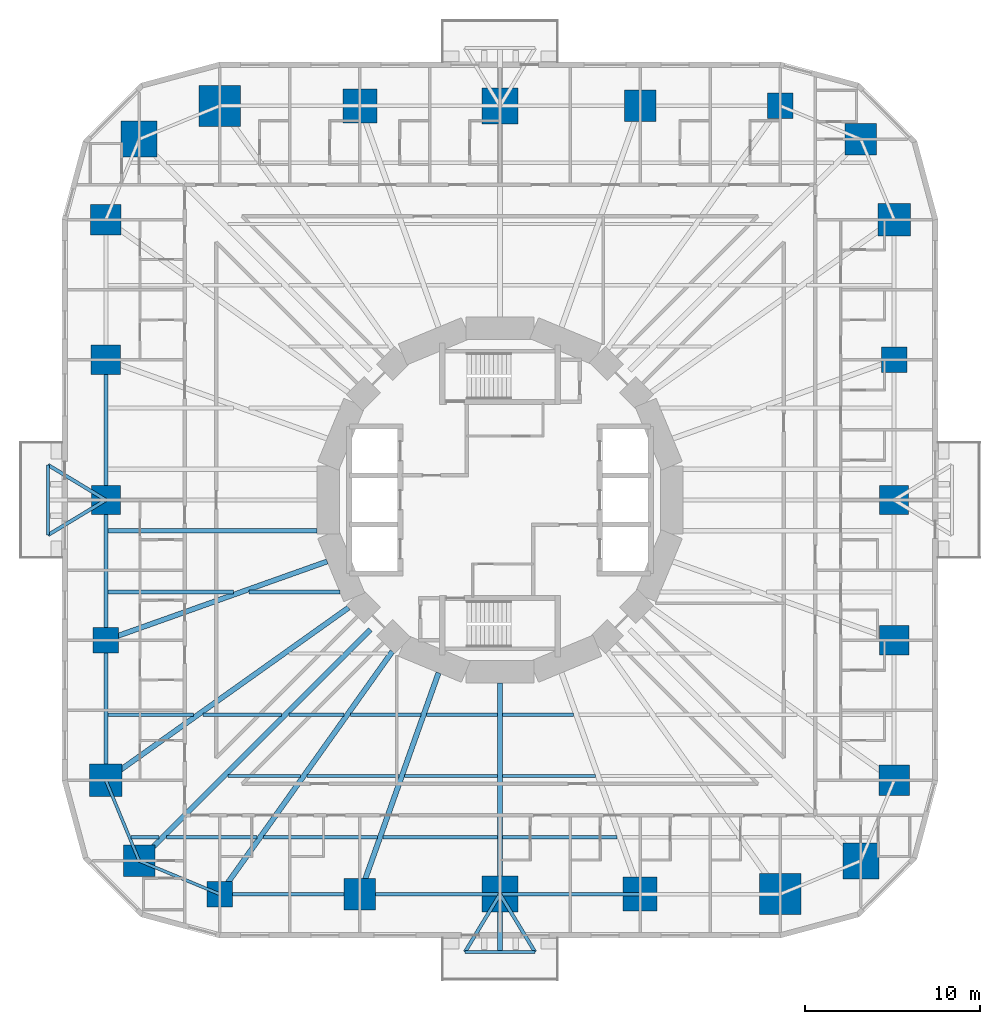
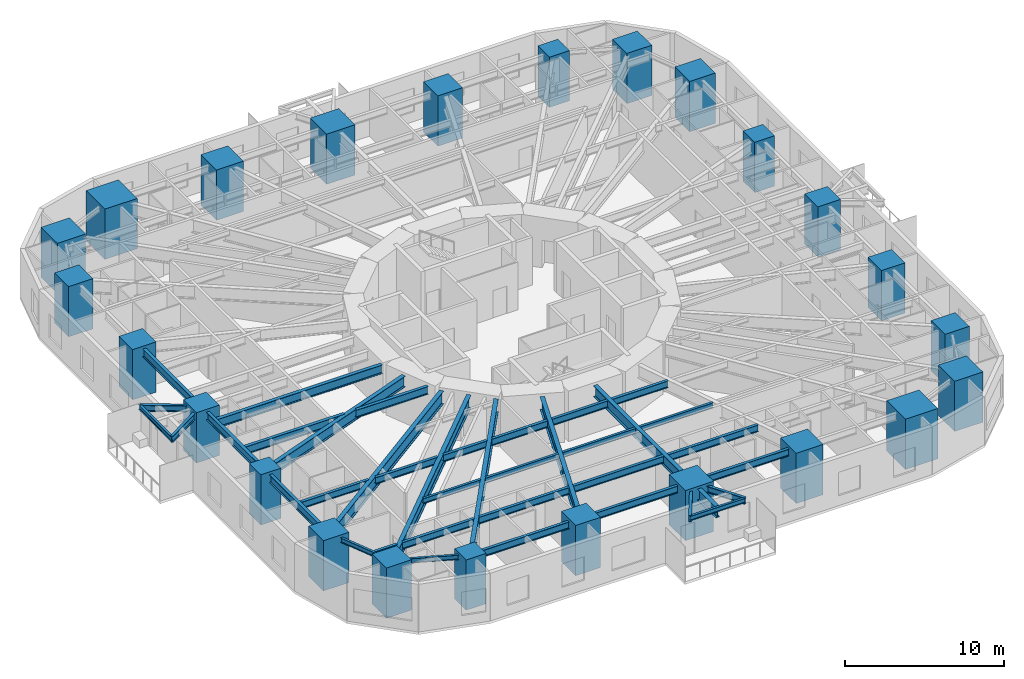
# One storey, part 1 of 14: 38 beams, 24 columns.
"""IFC4 building model written with IfcOpenShell, lengths in metres."""

from ifc_helpers import new_model, si_unit, direction, frame, origin, origin_2d, place, context, subcontext, project, spatial, rectangle, i_section, extrude, material, material_profile, profile_set, type_object, element, save


model = new_model("IFC4")

# Units and contexts
model_context = context("Model", 3, precision=1e-05, world=origin(), true_north=direction((0.0, 1.0)))
body_context = subcontext(model_context, "Body", "Model", "MODEL_VIEW")
ifc_project = project(units=[si_unit("LENGTHUNIT", "METRE"), si_unit("AREAUNIT", "SQUARE_METRE"), si_unit("VOLUMEUNIT", "CUBIC_METRE"), si_unit("PLANEANGLEUNIT", "RADIAN"), si_unit("MASSUNIT", "GRAM", prefix="KILO")], contexts=[model_context])

# Site, building, storey
site_placement = place(None, origin())
site = spatial("IfcSite", under=ifc_project, at=site_placement, CompositionType="ELEMENT")
building_placement = place(site_placement, origin())
building = spatial("IfcBuilding", under=site, at=building_placement, Name="Nakasero Lantern House", CompositionType="ELEMENT")
storey_placement = place(building_placement, frame((0.0, 0.0, 46.800048828125)))
storey = spatial("IfcBuildingStorey", under=building, at=storey_placement, Name="L11", CompositionType="ELEMENT", Elevation=46.800048828125)

# Columns
ifc_material_1 = material(Name="Concrete C50/60", Category="concrete")
ifc_material_profile_1 = material_profile(ifc_material_1, rectangle(XDim=1.800048828125, YDim=1.800048828125, at=origin_2d()), Name="RC 1800x1800")
ifc_profile_set_1 = profile_set([ifc_material_profile_1], Name="Concrete C50/60")
column_type_1 = type_object("IfcColumnType", Name="Mega column RC 1800x1800 C50/60", PredefinedType="COLUMN", material=ifc_profile_set_1)
for number, where, z_axis, x_axis, name in (
    (1, (20.59619140625, 20.59619140625, 0.0), (0.0, 0.0, 1.0), (1.0, 0.0, 0.0), "Column B1-C06 L11"),
    (2, (-20.59619140625, -20.59619140625, 0.0), (0.0, 0.0, 1.0), (1.0, 0.0, 0.0), "Column B1-C18 L11"),
):
    element("IfcColumn", number, at=place(storey_placement, frame(where, z_axis=z_axis, x_axis=x_axis)), inside=storey, type_object=column_type_1, Name=name, PredefinedType="COLUMN", context=body_context, shape_type="SweptSolid", body=[
        extrude(rectangle(XDim=1.800048828125, YDim=1.800048828125, at=origin_2d()), origin(), (0.0, 0.0, 1.0), 3.849853515625),
    ])
ifc_material_2 = material(Name="Concrete C50/60", Category="concrete")
ifc_material_profile_2 = material_profile(ifc_material_2, rectangle(XDim=2.050048828125, YDim=2.050048828125, at=origin_2d()), Name="RC 2050x2050")
ifc_profile_set_2 = profile_set([ifc_material_profile_2], Name="Concrete C50/60")
column_type_2 = type_object("IfcColumnType", Name="Mega column RC 2050x2050 C50/60", PredefinedType="COLUMN", material=ifc_profile_set_2)
for number, where, z_axis, x_axis, name in (
    (3, (-20.59619140625, 20.59619140625, 0.0), (0.0, 0.0, 1.0), (1.0, 0.0, 0.0), "Column B1-C12 L11"),
    (4, (20.59619140625, -20.59619140625, 0.0), (0.0, 0.0, 1.0), (1.0, 0.0, 0.0), "Column B1-C24 L11"),
):
    element("IfcColumn", number, at=place(storey_placement, frame(where, z_axis=z_axis, x_axis=x_axis)), inside=storey, type_object=column_type_2, Name=name, PredefinedType="COLUMN", context=body_context, shape_type="SweptSolid", body=[
        extrude(rectangle(XDim=2.050048828125, YDim=2.050048828125, at=origin_2d()), origin(), (0.0, 0.0, 1.0), 3.849853515625),
    ])
ifc_material_3 = material(Name="Concrete C50/60", Category="concrete")
ifc_material_profile_3 = material_profile(ifc_material_3, rectangle(XDim=1.449951171875, YDim=1.449951171875, at=origin_2d()), Name="RC 1450x1450")
ifc_profile_set_3 = profile_set([ifc_material_profile_3], Name="Concrete C50/60")
column_type_3 = type_object("IfcColumnType", Name="Ring column RC 1450x1450 C50/60", PredefinedType="COLUMN", material=ifc_profile_set_3)
for number, where, z_axis, x_axis, name in (
    (5, (22.5, 8.0, 0.0), (0.0, 0.0, 1.0), (1.0, 0.0, 0.0), "Column B1-C04 L11"),
    (6, (16.0, 22.5, 0.0), (0.0, 0.0, 1.0), (1.0, 0.0, 0.0), "Column B1-C07 L11"),
    (7, (-22.5, -8.0, 0.0), (0.0, 0.0, 1.0), (1.0, 0.0, 0.0), "Column B1-C16 L11"),
    (8, (-16.0, -22.5, 0.0), (0.0, 0.0, 1.0), (1.0, 0.0, 0.0), "Column B1-C19 L11"),
):
    element("IfcColumn", number, at=place(storey_placement, frame(where, z_axis=z_axis, x_axis=x_axis)), inside=storey, type_object=column_type_3, Name=name, PredefinedType="COLUMN", context=body_context, shape_type="SweptSolid", body=[
        extrude(rectangle(XDim=1.449951171875, YDim=1.449951171875, at=origin_2d()), origin(), (0.0, 0.0, 1.0), 3.849853515625),
    ])
ifc_material_4 = material(Name="Concrete C50/60", Category="concrete")
ifc_material_profile_4 = material_profile(ifc_material_4, rectangle(XDim=1.64990234375, YDim=1.64990234375, at=origin_2d()), Name="RC 1650x1650")
ifc_profile_set_4 = profile_set([ifc_material_profile_4], Name="Concrete C50/60")
column_type_4 = type_object("IfcColumnType", Name="Ring column RC 1650x1650 C50/60", PredefinedType="COLUMN", material=ifc_profile_set_4)
for number, where, z_axis, x_axis, name in (
    (9, (22.5, 0.0, 0.0), (0.0, 0.0, 1.0), (1.0, 0.0, 0.0), "Column B1-C03 L11"),
    (10, (-22.5, 0.0, 0.0), (0.0, 0.0, 1.0), (1.0, 0.0, 0.0), "Column B1-C15 L11"),
):
    element("IfcColumn", number, at=place(storey_placement, frame(where, z_axis=z_axis, x_axis=x_axis)), inside=storey, type_object=column_type_4, Name=name, PredefinedType="COLUMN", context=body_context, shape_type="SweptSolid", body=[
        extrude(rectangle(XDim=1.64990234375, YDim=1.64990234375, at=origin_2d()), origin(), (0.0, 0.0, 1.0), 3.849853515625),
    ])
ifc_material_5 = material(Name="Concrete C50/60", Category="concrete")
ifc_material_profile_5 = material_profile(ifc_material_5, rectangle(XDim=1.699951171875, YDim=1.699951171875, at=origin_2d()), Name="RC 1700x1700")
ifc_profile_set_5 = profile_set([ifc_material_profile_5], Name="Concrete C50/60")
column_type_5 = type_object("IfcColumnType", Name="Ring column RC 1700x1700 C50/60", PredefinedType="COLUMN", material=ifc_profile_set_5)
for number, where, z_axis, x_axis, name in (
    (11, (22.5, -8.0, 0.0), (0.0, 0.0, 1.0), (1.0, 0.0, 0.0), "Column B1-C02 L11"),
    (12, (-22.5, 8.0, 0.0), (0.0, 0.0, 1.0), (1.0, 0.0, 0.0), "Column B1-C14 L11"),
):
    element("IfcColumn", number, at=place(storey_placement, frame(where, z_axis=z_axis, x_axis=x_axis)), inside=storey, type_object=column_type_5, Name=name, PredefinedType="COLUMN", context=body_context, shape_type="SweptSolid", body=[
        extrude(rectangle(XDim=1.699951171875, YDim=1.699951171875, at=origin_2d()), origin(), (0.0, 0.0, 1.0), 3.849853515625),
    ])
ifc_material_6 = material(Name="Concrete C50/60", Category="concrete")
ifc_material_profile_6 = material_profile(ifc_material_6, rectangle(XDim=1.75, YDim=1.75, at=origin_2d()), Name="RC 1750x1750")
ifc_profile_set_6 = profile_set([ifc_material_profile_6], Name="Concrete C50/60")
column_type_6 = type_object("IfcColumnType", Name="Ring column RC 1750x1750 C50/60", PredefinedType="COLUMN", material=ifc_profile_set_6)
for number, where, z_axis, x_axis, name in (
    (13, (22.5, -16.0, 0.0), (0.0, 0.0, 1.0), (1.0, 0.0, 0.0), "Column B1-C01 L11"),
    (14, (-22.5, 16.0, 0.0), (0.0, 0.0, 1.0), (1.0, 0.0, 0.0), "Column B1-C13 L11"),
):
    element("IfcColumn", number, at=place(storey_placement, frame(where, z_axis=z_axis, x_axis=x_axis)), inside=storey, type_object=column_type_6, Name=name, PredefinedType="COLUMN", context=body_context, shape_type="SweptSolid", body=[
        extrude(rectangle(XDim=1.75, YDim=1.75, at=origin_2d()), origin(), (0.0, 0.0, 1.0), 3.849853515625),
    ])
ifc_material_7 = material(Name="Concrete C50/60", Category="concrete")
ifc_material_profile_7 = material_profile(ifc_material_7, rectangle(XDim=1.800048828125, YDim=1.800048828125, at=origin_2d()), Name="RC 1800x1800")
ifc_profile_set_7 = profile_set([ifc_material_profile_7], Name="Concrete C50/60")
column_type_7 = type_object("IfcColumnType", Name="Ring column RC 1800x1800 C50/60", PredefinedType="COLUMN", material=ifc_profile_set_7)
for number, where, z_axis, x_axis, name in (
    (15, (8.0, 22.5, 0.0), (0.0, 0.0, 1.0), (1.0, 0.0, 0.0), "Column B1-C08 L11"),
    (16, (-8.0, -22.5, 0.0), (0.0, 0.0, 1.0), (1.0, 0.0, 0.0), "Column B1-C20 L11"),
):
    element("IfcColumn", number, at=place(storey_placement, frame(where, z_axis=z_axis, x_axis=x_axis)), inside=storey, type_object=column_type_7, Name=name, PredefinedType="COLUMN", context=body_context, shape_type="SweptSolid", body=[
        extrude(rectangle(XDim=1.800048828125, YDim=1.800048828125, at=origin_2d()), origin(), (0.0, 0.0, 1.0), 3.849853515625),
    ])
ifc_material_8 = material(Name="Concrete C50/60", Category="concrete")
ifc_material_profile_8 = material_profile(ifc_material_8, rectangle(XDim=1.85009765625, YDim=1.85009765625, at=origin_2d()), Name="RC 1850x1850")
ifc_profile_set_8 = profile_set([ifc_material_profile_8], Name="Concrete C50/60")
column_type_8 = type_object("IfcColumnType", Name="Ring column RC 1850x1850 C50/60", PredefinedType="COLUMN", material=ifc_profile_set_8)
for number, where, z_axis, x_axis, name in (
    (17, (22.5, 16.0, 0.0), (0.0, 0.0, 1.0), (1.0, 0.0, 0.0), "Column B1-C05 L11"),
    (18, (-22.5, -16.0, 0.0), (0.0, 0.0, 1.0), (1.0, 0.0, 0.0), "Column B1-C17 L11"),
):
    element("IfcColumn", number, at=place(storey_placement, frame(where, z_axis=z_axis, x_axis=x_axis)), inside=storey, type_object=column_type_8, Name=name, PredefinedType="COLUMN", context=body_context, shape_type="SweptSolid", body=[
        extrude(rectangle(XDim=1.85009765625, YDim=1.85009765625, at=origin_2d()), origin(), (0.0, 0.0, 1.0), 3.849853515625),
    ])
ifc_material_9 = material(Name="Concrete C50/60", Category="concrete")
ifc_material_profile_9 = material_profile(ifc_material_9, rectangle(XDim=1.949951171875, YDim=1.949951171875, at=origin_2d()), Name="RC 1950x1950")
ifc_profile_set_9 = profile_set([ifc_material_profile_9], Name="Concrete C50/60")
column_type_9 = type_object("IfcColumnType", Name="Ring column RC 1950x1950 C50/60", PredefinedType="COLUMN", material=ifc_profile_set_9)
for number, where, z_axis, x_axis, name in (
    (19, (-8.0, 22.5, 0.0), (0.0, 0.0, 1.0), (1.0, 0.0, 0.0), "Column B1-C10 L11"),
    (20, (8.0, -22.5, 0.0), (0.0, 0.0, 1.0), (1.0, 0.0, 0.0), "Column B1-C22 L11"),
):
    element("IfcColumn", number, at=place(storey_placement, frame(where, z_axis=z_axis, x_axis=x_axis)), inside=storey, type_object=column_type_9, Name=name, PredefinedType="COLUMN", context=body_context, shape_type="SweptSolid", body=[
        extrude(rectangle(XDim=1.949951171875, YDim=1.949951171875, at=origin_2d()), origin(), (0.0, 0.0, 1.0), 3.849853515625),
    ])
ifc_material_10 = material(Name="Concrete C50/60", Category="concrete")
ifc_material_profile_10 = material_profile(ifc_material_10, rectangle(XDim=2.050048828125, YDim=2.050048828125, at=origin_2d()), Name="RC 2050x2050")
ifc_profile_set_10 = profile_set([ifc_material_profile_10], Name="Concrete C50/60")
column_type_10 = type_object("IfcColumnType", Name="Ring column RC 2050x2050 C50/60", PredefinedType="COLUMN", material=ifc_profile_set_10)
for number, where, z_axis, x_axis, name in (
    (21, (0.0, 22.5, 0.0), (0.0, 0.0, 1.0), (1.0, 0.0, 0.0), "Column B1-C09 L11"),
    (22, (0.0, -22.5, 0.0), (0.0, 0.0, 1.0), (1.0, 0.0, 0.0), "Column B1-C21 L11"),
):
    element("IfcColumn", number, at=place(storey_placement, frame(where, z_axis=z_axis, x_axis=x_axis)), inside=storey, type_object=column_type_10, Name=name, PredefinedType="COLUMN", context=body_context, shape_type="SweptSolid", body=[
        extrude(rectangle(XDim=2.050048828125, YDim=2.050048828125, at=origin_2d()), origin(), (0.0, 0.0, 1.0), 3.849853515625),
    ])
ifc_material_11 = material(Name="Concrete C50/60", Category="concrete")
ifc_material_profile_11 = material_profile(ifc_material_11, rectangle(XDim=2.35009765625, YDim=2.35009765625, at=origin_2d()), Name="RC 2350x2350")
ifc_profile_set_11 = profile_set([ifc_material_profile_11], Name="Concrete C50/60")
column_type_11 = type_object("IfcColumnType", Name="Ring column RC 2350x2350 C50/60", PredefinedType="COLUMN", material=ifc_profile_set_11)
for number, where, z_axis, x_axis, name in (
    (23, (-16.0, 22.5, 0.0), (0.0, 0.0, 1.0), (1.0, 0.0, 0.0), "Column B1-C11 L11"),
    (24, (16.0, -22.5, 0.0), (0.0, 0.0, 1.0), (1.0, 0.0, 0.0), "Column B1-C23 L11"),
):
    element("IfcColumn", number, at=place(storey_placement, frame(where, z_axis=z_axis, x_axis=x_axis)), inside=storey, type_object=column_type_11, Name=name, PredefinedType="COLUMN", context=body_context, shape_type="SweptSolid", body=[
        extrude(rectangle(XDim=2.35009765625, YDim=2.35009765625, at=origin_2d()), origin(), (0.0, 0.0, 1.0), 3.849853515625),
    ])

# Beams
ifc_material_12 = material(Name="Steel S355", Category="steel")
ifc_material_profile_12 = material_profile(ifc_material_12, i_section(OverallWidth=0.199462890625, OverallDepth=0.491943359375, WebThickness=0.01806640625, FlangeThickness=0.031982421875, FilletRadius=0.01025390625, at=origin_2d()), Name="UB 457x191x161")
ifc_profile_set_12 = profile_set([ifc_material_profile_12], Name="Steel S355")
beam_type_1 = type_object("IfcBeamType", Name="Balcony splay beam UB 457x191x161", PredefinedType="BEAM", material=ifc_profile_set_12)
for number, where, z_axis, x_axis, name in (
    (25, (-22.5, 0.0, 3.404052734375), (-0.855201230787, -0.518296107317, 0.0), (0.518296107317, -0.855201230787, 0.0), "Balcony splay beam L12 B1-C15A"),
    (26, (-22.5, 0.0, 3.404052734375), (-0.855201230787, 0.518296107317, 0.0), (-0.518296107317, -0.855201230787, 0.0), "Balcony splay beam L12 B1-C15B"),
    (27, (0.0, -22.5, 3.404052734375), (0.518296107317, -0.855201230787, 0.0), (0.855201230787, 0.518296107317, 0.0), "Balcony splay beam L12 B1-C21A"),
    (28, (0.0, -22.5, 3.404052734375), (-0.518296107317, -0.855201230787, 0.0), (0.855201230787, -0.518296107317, 0.0), "Balcony splay beam L12 B1-C21B"),
):
    element("IfcBeam", number, at=place(storey_placement, frame(where, z_axis=z_axis, x_axis=x_axis)), inside=storey, type_object=beam_type_1, Name=name, PredefinedType="BEAM", context=body_context, shape_type="SweptSolid", body=[
        extrude(i_section(OverallWidth=0.199462890625, OverallDepth=0.491943359375, WebThickness=0.01806640625, FlangeThickness=0.031982421875, FilletRadius=0.01025390625, at=origin_2d()), origin(), (0.0, 0.0, 1.0), 3.85888671875),
    ])
ifc_material_13 = material(Name="Steel S355", Category="steel")
ifc_material_profile_13 = material_profile(ifc_material_13, i_section(OverallWidth=0.17138671875, OverallDepth=0.35498046875, WebThickness=0.00732421875, FlangeThickness=0.011474609375, FilletRadius=0.01025390625, at=origin_2d()), Name="UB 356x171x51")
ifc_profile_set_13 = profile_set([ifc_material_profile_13], Name="Steel S355")
beam_type_2 = type_object("IfcBeamType", Name="Balcony tie beam UB 356x171x51", PredefinedType="BEAM", material=ifc_profile_set_13)
for number, where, z_axis, x_axis, name in (
    (29, (-25.800048828125, -2.0, 3.472412109375), (0.0, 1.0, 0.0), (-1.0, 0.0, 0.0), "Balcony tie beam L12 B1-C15"),
    (30, (2.0, -25.800048828125, 3.472412109375), (-1.0, 0.0, 0.0), (0.0, -1.0, 0.0), "Balcony tie beam L12 B1-C21"),
):
    element("IfcBeam", number, at=place(storey_placement, frame(where, z_axis=z_axis, x_axis=x_axis)), inside=storey, type_object=beam_type_2, Name=name, PredefinedType="BEAM", context=body_context, shape_type="SweptSolid", body=[
        extrude(i_section(OverallWidth=0.17138671875, OverallDepth=0.35498046875, WebThickness=0.00732421875, FlangeThickness=0.011474609375, FilletRadius=0.01025390625, at=origin_2d()), origin(), (0.0, 0.0, 1.0), 4.0),
    ])
ifc_material_14 = material(Name="Steel S355", Category="steel")
ifc_material_profile_14 = material_profile(ifc_material_14, i_section(OverallWidth=0.177978515625, OverallDepth=0.406494140625, WebThickness=0.0078125, FlangeThickness=0.0126953125, FilletRadius=0.01025390625, at=origin_2d()), Name="UB 406x178x60")
ifc_profile_set_14 = profile_set([ifc_material_profile_14], Name="Steel S355")
beam_type_3 = type_object("IfcBeamType", Name="Infill beam UB 406x178x60", PredefinedType="JOIST", material=ifc_profile_set_14)
beam_1_placement = place(storey_placement, frame((-15.537841796875, -15.75, 3.44677734375), z_axis=(1.0, 0.0, 0.0), x_axis=(0.0, 1.0, 0.0)))
element("IfcBeam", 31, at=beam_1_placement, inside=storey, type_object=beam_type_3, Name="Infill beam L12 03.1", PredefinedType="JOIST", context=body_context, shape_type="SweptSolid", body=[
    extrude(i_section(OverallWidth=0.177978515625, OverallDepth=0.406494140625, WebThickness=0.0078125, FlangeThickness=0.0126953125, FilletRadius=0.01025390625, at=origin_2d()), origin(), (0.0, 0.0, 1.0), 4.15380859375),
])
beam_2_placement = place(storey_placement, frame((-11.015869140625, -15.75, 3.44677734375), z_axis=(1.0, 0.0, 0.0), x_axis=(0.0, 1.0, 0.0)))
element("IfcBeam", 32, at=beam_2_placement, inside=storey, type_object=beam_type_3, Name="Infill beam L12 03.2", PredefinedType="JOIST", context=body_context, shape_type="SweptSolid", body=[
    extrude(i_section(OverallWidth=0.177978515625, OverallDepth=0.406494140625, WebThickness=0.0078125, FlangeThickness=0.0126953125, FilletRadius=0.01025390625, at=origin_2d()), origin(), (0.0, 0.0, 1.0), 5.256591796875),
])
for number, where, z_axis, x_axis, name in (
    (33, (-5.44091796875, -15.75, 3.44677734375), (1.0, 0.0, 0.0), (0.0, 1.0, 0.0), "Infill beam L12 03.3"),
    (34, (0.146240234375, -15.75, 3.44677734375), (1.0, 0.0, 0.0), (0.0, 1.0, 0.0), "Infill beam L12 03.4"),
):
    element("IfcBeam", number, at=place(storey_placement, frame(where, z_axis=z_axis, x_axis=x_axis)), inside=storey, type_object=beam_type_3, Name=name, PredefinedType="JOIST", context=body_context, shape_type="SweptSolid", body=[
        extrude(i_section(OverallWidth=0.177978515625, OverallDepth=0.406494140625, WebThickness=0.0078125, FlangeThickness=0.0126953125, FilletRadius=0.01025390625, at=origin_2d()), origin(), (0.0, 0.0, 1.0), 5.294677734375),
    ])
ifc_material_15 = material(Name="Steel S355", Category="steel")
ifc_material_profile_15 = material_profile(ifc_material_15, i_section(OverallWidth=0.208740234375, OverallDepth=0.5283203125, WebThickness=0.009521484375, FlangeThickness=0.01318359375, FilletRadius=0.0126953125, at=origin_2d()), Name="UB 533x210x82")
ifc_profile_set_15 = profile_set([ifc_material_profile_15], Name="Steel S355")
beam_type_4 = type_object("IfcBeamType", Name="Infill beam UB 533x210x82", PredefinedType="JOIST", material=ifc_profile_set_15)
beam_3_placement = place(storey_placement, frame((-21.06103515625, -19.25, 3.3857421875), z_axis=(1.0, 0.0, 0.0), x_axis=(0.0, 1.0, 0.0)))
element("IfcBeam", 35, at=beam_3_placement, inside=storey, type_object=beam_type_4, Name="Infill beam L12 02.1", PredefinedType="JOIST", context=body_context, shape_type="SweptSolid", body=[
    extrude(i_section(OverallWidth=0.208740234375, OverallDepth=0.5283203125, WebThickness=0.009521484375, FlangeThickness=0.01318359375, FilletRadius=0.0126953125, at=origin_2d()), origin(), (0.0, 0.0, 1.0), 1.598876953125),
])
beam_4_placement = place(storey_placement, frame((-19.037841796875, -19.25, 3.3857421875), z_axis=(1.0, 0.0, 0.0), x_axis=(0.0, 1.0, 0.0)))
element("IfcBeam", 36, at=beam_4_placement, inside=storey, type_object=beam_type_4, Name="Infill beam L12 02.2", PredefinedType="JOIST", context=body_context, shape_type="SweptSolid", body=[
    extrude(i_section(OverallWidth=0.208740234375, OverallDepth=0.5283203125, WebThickness=0.009521484375, FlangeThickness=0.01318359375, FilletRadius=0.0126953125, at=origin_2d()), origin(), (0.0, 0.0, 1.0), 5.164794921875),
])
beam_5_placement = place(storey_placement, frame((-13.5048828125, -19.25, 3.3857421875), z_axis=(1.0, 0.0, 0.0), x_axis=(0.0, 1.0, 0.0)))
element("IfcBeam", 37, at=beam_5_placement, inside=storey, type_object=beam_type_4, Name="Infill beam L12 02.3", PredefinedType="JOIST", context=body_context, shape_type="SweptSolid", body=[
    extrude(i_section(OverallWidth=0.208740234375, OverallDepth=0.5283203125, WebThickness=0.009521484375, FlangeThickness=0.01318359375, FilletRadius=0.0126953125, at=origin_2d()), origin(), (0.0, 0.0, 1.0), 6.501220703125),
])
for number, where, z_axis, x_axis, name in (
    (38, (-6.685302734375, -19.25, 3.3857421875), (1.0, 0.0, 0.0), (0.0, 1.0, 0.0), "Infill beam L12 02.4"),
    (39, (0.146240234375, -19.25, 3.3857421875), (1.0, 0.0, 0.0), (0.0, 1.0, 0.0), "Infill beam L12 02.5"),
):
    element("IfcBeam", number, at=place(storey_placement, frame(where, z_axis=z_axis, x_axis=x_axis)), inside=storey, type_object=beam_type_4, Name=name, PredefinedType="JOIST", context=body_context, shape_type="SweptSolid", body=[
        extrude(i_section(OverallWidth=0.208740234375, OverallDepth=0.5283203125, WebThickness=0.009521484375, FlangeThickness=0.01318359375, FilletRadius=0.0126953125, at=origin_2d()), origin(), (0.0, 0.0, 1.0), 6.5390625),
    ])
beam_6_placement = place(storey_placement, frame((-22.385498046875, -12.25, 3.3857421875), z_axis=(1.0, 0.0, 0.0), x_axis=(0.0, 1.0, 0.0)))
element("IfcBeam", 40, at=beam_6_placement, inside=storey, type_object=beam_type_4, Name="Infill beam L12 04.1", PredefinedType="JOIST", context=body_context, shape_type="SweptSolid", body=[
    extrude(i_section(OverallWidth=0.208740234375, OverallDepth=0.5283203125, WebThickness=0.009521484375, FlangeThickness=0.01318359375, FilletRadius=0.0126953125, at=origin_2d()), origin(), (0.0, 0.0, 1.0), 4.900146484375),
])
beam_7_placement = place(storey_placement, frame((-16.9677734375, -12.25, 3.3857421875), z_axis=(1.0, 0.0, 0.0), x_axis=(0.0, 1.0, 0.0)))
element("IfcBeam", 41, at=beam_7_placement, inside=storey, type_object=beam_type_4, Name="Infill beam L12 04.2", PredefinedType="JOIST", context=body_context, shape_type="SweptSolid", body=[
    extrude(i_section(OverallWidth=0.208740234375, OverallDepth=0.5283203125, WebThickness=0.009521484375, FlangeThickness=0.01318359375, FilletRadius=0.0126953125, at=origin_2d()), origin(), (0.0, 0.0, 1.0), 4.505615234375),
])
beam_8_placement = place(storey_placement, frame((-12.037841796875, -12.25, 3.3857421875), z_axis=(1.0, 0.0, 0.0), x_axis=(0.0, 1.0, 0.0)))
element("IfcBeam", 42, at=beam_8_placement, inside=storey, type_object=beam_type_4, Name="Infill beam L12 04.3", PredefinedType="JOIST", context=body_context, shape_type="SweptSolid", body=[
    extrude(i_section(OverallWidth=0.208740234375, OverallDepth=0.5283203125, WebThickness=0.009521484375, FlangeThickness=0.01318359375, FilletRadius=0.0126953125, at=origin_2d()), origin(), (0.0, 0.0, 1.0), 3.142578125),
])
beam_9_placement = place(storey_placement, frame((-8.527099609375, -12.25, 3.3857421875), z_axis=(1.0, 0.0, 0.0), x_axis=(0.0, 1.0, 0.0)))
element("IfcBeam", 43, at=beam_9_placement, inside=storey, type_object=beam_type_4, Name="Infill beam L12 04.4", PredefinedType="JOIST", context=body_context, shape_type="SweptSolid", body=[
    extrude(i_section(OverallWidth=0.208740234375, OverallDepth=0.5283203125, WebThickness=0.009521484375, FlangeThickness=0.01318359375, FilletRadius=0.0126953125, at=origin_2d()), origin(), (0.0, 0.0, 1.0), 4.012451171875),
])
for number, where, z_axis, x_axis, name in (
    (44, (-4.1962890625, -12.25, 3.3857421875), (1.0, 0.0, 0.0), (0.0, 1.0, 0.0), "Infill beam L12 04.5"),
    (45, (0.146240234375, -12.25, 3.3857421875), (1.0, 0.0, 0.0), (0.0, 1.0, 0.0), "Infill beam L12 04.6"),
):
    element("IfcBeam", number, at=place(storey_placement, frame(where, z_axis=z_axis, x_axis=x_axis)), inside=storey, type_object=beam_type_4, Name=name, PredefinedType="JOIST", context=body_context, shape_type="SweptSolid", body=[
        extrude(i_section(OverallWidth=0.208740234375, OverallDepth=0.5283203125, WebThickness=0.009521484375, FlangeThickness=0.01318359375, FilletRadius=0.0126953125, at=origin_2d()), origin(), (0.0, 0.0, 1.0), 4.050048828125),
    ])
ifc_material_16 = material(Name="Steel S355", Category="steel")
ifc_material_profile_16 = material_profile(ifc_material_16, i_section(OverallWidth=0.2275390625, OverallDepth=0.6025390625, WebThickness=0.010498046875, FlangeThickness=0.014892578125, FilletRadius=0.0126953125, at=origin_2d()), Name="UB 610x229x101")
ifc_profile_set_16 = profile_set([ifc_material_profile_16], Name="Steel S355")
beam_type_5 = type_object("IfcBeamType", Name="Infill beam UB 610x229x101", PredefinedType="JOIST", material=ifc_profile_set_16)
beam_10_placement = place(storey_placement, frame((-22.385498046875, -5.25, 3.3486328125), z_axis=(1.0, 0.0, 0.0), x_axis=(0.0, 1.0, 0.0)))
element("IfcBeam", 46, at=beam_10_placement, inside=storey, type_object=beam_type_5, Name="Infill beam L12 06.1", PredefinedType="JOIST", context=body_context, shape_type="SweptSolid", body=[
    extrude(i_section(OverallWidth=0.2275390625, OverallDepth=0.6025390625, WebThickness=0.010498046875, FlangeThickness=0.014892578125, FilletRadius=0.0126953125, at=origin_2d()), origin(), (0.0, 0.0, 1.0), 7.183349609375),
])
beam_11_placement = place(storey_placement, frame((-14.3291015625, -5.25, 3.3486328125), z_axis=(1.0, 0.0, 0.0), x_axis=(0.0, 1.0, 0.0)))
element("IfcBeam", 47, at=beam_11_placement, inside=storey, type_object=beam_type_5, Name="Infill beam L12 06.2", PredefinedType="JOIST", context=body_context, shape_type="SweptSolid", body=[
    extrude(i_section(OverallWidth=0.2275390625, OverallDepth=0.6025390625, WebThickness=0.010498046875, FlangeThickness=0.014892578125, FilletRadius=0.0126953125, at=origin_2d()), origin(), (0.0, 0.0, 1.0), 5.184326171875),
])
ifc_material_17 = material(Name="Steel S355", Category="steel")
ifc_material_profile_17 = material_profile(ifc_material_17, i_section(OverallWidth=0.253662109375, OverallDepth=0.68359375, WebThickness=0.012451171875, FlangeThickness=0.01904296875, FilletRadius=0.01513671875, at=origin_2d()), Name="UB 686x254x140")
ifc_profile_set_17 = profile_set([ifc_material_profile_17], Name="Steel S355")
beam_type_6 = type_object("IfcBeamType", Name="Infill beam UB 686x254x140", PredefinedType="JOIST", material=ifc_profile_set_17)
beam_12_placement = place(storey_placement, frame((-22.385498046875, -1.75, 3.30810546875), z_axis=(1.0, 0.0, 0.0), x_axis=(0.0, 1.0, 0.0)))
element("IfcBeam", 48, at=beam_12_placement, inside=storey, type_object=beam_type_6, Name="Infill beam L12 07.1", PredefinedType="JOIST", context=body_context, shape_type="SweptSolid", body=[
    extrude(i_section(OverallWidth=0.253662109375, OverallDepth=0.68359375, WebThickness=0.012451171875, FlangeThickness=0.01904296875, FilletRadius=0.01513671875, at=origin_2d()), origin(), (0.0, 0.0, 1.0), 11.927734375),
])
ifc_material_18 = material(Name="Steel S355", Category="steel")
ifc_material_profile_18 = material_profile(ifc_material_18, i_section(OverallWidth=0.300048828125, OverallDepth=0.97021484375, WebThickness=0.01611328125, FlangeThickness=0.02099609375, FilletRadius=0.030029296875, at=origin_2d()), Name="UB 1016x305x222")
ifc_profile_set_18 = profile_set([ifc_material_profile_18], Name="Steel S355")
beam_type_7 = type_object("IfcBeamType", Name="Primary beam UB 1016x305x222, span 12 to 15 m", PredefinedType="BEAM", material=ifc_profile_set_18)
beam_13_placement = place(storey_placement, frame((-8.0, -22.5, 3.164794921875), z_axis=(0.335010745293, 0.942214307118, 0.0), x_axis=(-0.942214307118, 0.335010745293, 0.0)))
element("IfcBeam", 49, at=beam_13_placement, inside=storey, type_object=beam_type_7, Name="Primary beam L12 B1-C20", PredefinedType="BEAM", context=body_context, shape_type="SweptSolid", body=[
    extrude(i_section(OverallWidth=0.300048828125, OverallDepth=0.97021484375, WebThickness=0.01611328125, FlangeThickness=0.02099609375, FilletRadius=0.030029296875, at=origin_2d()), origin(), (0.0, 0.0, 1.0), 13.408447265625),
])
ifc_material_19 = material(Name="Steel S355", Category="steel")
ifc_material_profile_19 = material_profile(ifc_material_19, i_section(OverallWidth=0.300048828125, OverallDepth=0.989990234375, WebThickness=0.0166015625, FlangeThickness=0.031005859375, FilletRadius=0.030029296875, at=origin_2d()), Name="UB 1016x305x272")
ifc_profile_set_19 = profile_set([ifc_material_profile_19], Name="Steel S355")
beam_type_8 = type_object("IfcBeamType", Name="Primary beam UB 1016x305x272, span over 15 m", PredefinedType="BEAM", material=ifc_profile_set_19)
beam_14_placement = place(storey_placement, frame((-22.5, -16.0, 3.15478515625), z_axis=(0.814952159915, 0.579528236629, 0.0), x_axis=(-0.579528236629, 0.814952159915, 0.0)))
element("IfcBeam", 50, at=beam_14_placement, inside=storey, type_object=beam_type_8, Name="Primary beam L12 B1-C17", PredefinedType="BEAM", context=body_context, shape_type="SweptSolid", body=[
    extrude(i_section(OverallWidth=0.300048828125, OverallDepth=0.989990234375, WebThickness=0.0166015625, FlangeThickness=0.031005859375, FilletRadius=0.030029296875, at=origin_2d()), origin(), (0.0, 0.0, 1.0), 17.003173828125),
])
beam_15_placement = place(storey_placement, frame((-20.59619140625, -20.59619140625, 3.15478515625), z_axis=(0.707106781187, 0.707106781187, 0.0), x_axis=(-0.707106781187, 0.707106781187, 0.0)))
element("IfcBeam", 51, at=beam_15_placement, inside=storey, type_object=beam_type_8, Name="Primary beam L12 B1-C18", PredefinedType="BEAM", context=body_context, shape_type="SweptSolid", body=[
    extrude(i_section(OverallWidth=0.300048828125, OverallDepth=0.989990234375, WebThickness=0.0166015625, FlangeThickness=0.031005859375, FilletRadius=0.030029296875, at=origin_2d()), origin(), (0.0, 0.0, 1.0), 18.669677734375),
])
ifc_material_20 = material(Name="Steel S355", Category="steel")
ifc_material_profile_20 = material_profile(ifc_material_20, i_section(OverallWidth=0.300048828125, OverallDepth=1.0, WebThickness=0.01904296875, FlangeThickness=0.035888671875, FilletRadius=0.030029296875, at=origin_2d()), Name="UB 1016x305x314")
ifc_profile_set_20 = profile_set([ifc_material_profile_20], Name="Steel S355")
beam_type_9 = type_object("IfcBeamType", Name="Primary beam UB 1016x305x314, span over 15 m", PredefinedType="BEAM", material=ifc_profile_set_20)
beam_16_placement = place(storey_placement, frame((-16.0, -22.5, 3.14990234375), z_axis=(0.579528236629, 0.814952159915, 0.0), x_axis=(-0.814952159915, 0.579528236629, 0.0)))
element("IfcBeam", 52, at=beam_16_placement, inside=storey, type_object=beam_type_9, Name="Primary beam L12 B1-C19", PredefinedType="BEAM", context=body_context, shape_type="SweptSolid", body=[
    extrude(i_section(OverallWidth=0.300048828125, OverallDepth=1.0, WebThickness=0.01904296875, FlangeThickness=0.035888671875, FilletRadius=0.030029296875, at=origin_2d()), origin(), (0.0, 0.0, 1.0), 17.003173828125),
])
ifc_material_21 = material(Name="Steel S355", Category="steel")
ifc_material_profile_21 = material_profile(ifc_material_21, i_section(OverallWidth=0.29248046875, OverallDepth=0.8408203125, WebThickness=0.0146484375, FlangeThickness=0.02685546875, FilletRadius=0.017822265625, at=origin_2d()), Name="UB 838x292x194")
ifc_profile_set_21 = profile_set([ifc_material_profile_21], Name="Steel S355")
beam_type_10 = type_object("IfcBeamType", Name="Primary beam UB 838x292x194, span 12 to 15 m", PredefinedType="BEAM", material=ifc_profile_set_21)
beam_17_placement = place(storey_placement, frame((-22.5, -8.0, 3.2294921875), z_axis=(0.942214307118, 0.335010745293, 0.0), x_axis=(-0.335010745293, 0.942214307118, 0.0)))
element("IfcBeam", 53, at=beam_17_placement, inside=storey, type_object=beam_type_10, Name="Primary beam L12 B1-C16", PredefinedType="BEAM", context=body_context, shape_type="SweptSolid", body=[
    extrude(i_section(OverallWidth=0.29248046875, OverallDepth=0.8408203125, WebThickness=0.0146484375, FlangeThickness=0.02685546875, FilletRadius=0.017822265625, at=origin_2d()), origin(), (0.0, 0.0, 1.0), 13.408447265625),
])
beam_18_placement = place(storey_placement, frame((0.0, -25.800048828125, 3.2294921875), z_axis=(0.0, 1.0, 0.0), x_axis=(-1.0, 0.0, 0.0)))
element("IfcBeam", 54, at=beam_18_placement, inside=storey, type_object=beam_type_10, Name="Primary beam L12 B1-C21", PredefinedType="BEAM", context=body_context, shape_type="SweptSolid", body=[
    extrude(i_section(OverallWidth=0.29248046875, OverallDepth=0.8408203125, WebThickness=0.0146484375, FlangeThickness=0.02685546875, FilletRadius=0.017822265625, at=origin_2d()), origin(), (0.0, 0.0, 1.0), 15.34228515625),
])
ifc_material_22 = material(Name="Steel S355", Category="steel")
ifc_material_profile_22 = material_profile(ifc_material_22, i_section(OverallWidth=0.17138671875, OverallDepth=0.35498046875, WebThickness=0.00732421875, FlangeThickness=0.011474609375, FilletRadius=0.01025390625, at=origin_2d()), Name="UB 356x171x51")
ifc_profile_set_22 = profile_set([ifc_material_profile_22], Name="Steel S355")
beam_type_11 = type_object("IfcBeamType", Name="Ring beam UB 356x171x51", PredefinedType="BEAM", material=ifc_profile_set_22)
for number, where, z_axis, x_axis, name in (
    (55, (-22.5, -16.0, 3.472412109375), (0.382684080569, -0.923879264016, 0.0), (0.923879264016, 0.382684080569, 0.0), "Ring beam L12 B1-C17"),
    (56, (-20.59619140625, -20.59619140625, 3.472412109375), (0.923879264016, -0.382684080569, 0.0), (0.382684080569, 0.923879264016, 0.0), "Ring beam L12 B1-C18"),
):
    element("IfcBeam", number, at=place(storey_placement, frame(where, z_axis=z_axis, x_axis=x_axis)), inside=storey, type_object=beam_type_11, Name=name, PredefinedType="BEAM", context=body_context, shape_type="SweptSolid", body=[
        extrude(i_section(OverallWidth=0.17138671875, OverallDepth=0.35498046875, WebThickness=0.00732421875, FlangeThickness=0.011474609375, FilletRadius=0.01025390625, at=origin_2d()), origin(), (0.0, 0.0, 1.0), 4.974853515625),
    ])
ifc_material_23 = material(Name="Steel S355", Category="steel")
ifc_material_profile_23 = material_profile(ifc_material_23, i_section(OverallWidth=0.2099609375, OverallDepth=0.53662109375, WebThickness=0.0107421875, FlangeThickness=0.017333984375, FilletRadius=0.0126953125, at=origin_2d()), Name="UB 533x210x101")
ifc_profile_set_23 = profile_set([ifc_material_profile_23], Name="Steel S355")
beam_type_12 = type_object("IfcBeamType", Name="Ring beam UB 533x210x101", PredefinedType="BEAM", material=ifc_profile_set_23)
for number, where, z_axis, x_axis, name in (
    (57, (-16.0, -22.5, 3.381591796875), (1.0, 0.0, 0.0), (0.0, 1.0, 0.0), "Ring beam L12 B1-C19"),
    (58, (-8.0, -22.5, 3.381591796875), (1.0, 0.0, 0.0), (0.0, 1.0, 0.0), "Ring beam L12 B1-C20"),
    (59, (0.0, -22.5, 3.381591796875), (1.0, 0.0, 0.0), (0.0, 1.0, 0.0), "Ring beam L12 B1-C21"),
):
    element("IfcBeam", number, at=place(storey_placement, frame(where, z_axis=z_axis, x_axis=x_axis)), inside=storey, type_object=beam_type_12, Name=name, PredefinedType="BEAM", context=body_context, shape_type="SweptSolid", body=[
        extrude(i_section(OverallWidth=0.2099609375, OverallDepth=0.53662109375, WebThickness=0.0107421875, FlangeThickness=0.017333984375, FilletRadius=0.0126953125, at=origin_2d()), origin(), (0.0, 0.0, 1.0), 8.0),
    ])
ifc_material_24 = material(Name="Steel S355", Category="steel")
ifc_material_profile_24 = material_profile(ifc_material_24, i_section(OverallWidth=0.22900390625, OverallDepth=0.6123046875, WebThickness=0.011962890625, FlangeThickness=0.01953125, FilletRadius=0.0126953125, at=origin_2d()), Name="UB 610x229x125")
ifc_profile_set_24 = profile_set([ifc_material_profile_24], Name="Steel S355")
beam_type_13 = type_object("IfcBeamType", Name="Ring beam UB 610x229x125", PredefinedType="BEAM", material=ifc_profile_set_24)
for number, where, z_axis, x_axis, name in (
    (60, (-22.5, 8.0, 3.34375), (0.0, -1.0, 0.0), (1.0, 0.0, 0.0), "Ring beam L12 B1-C14"),
    (61, (-22.5, 0.0, 3.34375), (0.0, -1.0, 0.0), (1.0, 0.0, 0.0), "Ring beam L12 B1-C15"),
    (62, (-22.5, -8.0, 3.34375), (0.0, -1.0, 0.0), (1.0, 0.0, 0.0), "Ring beam L12 B1-C16"),
):
    element("IfcBeam", number, at=place(storey_placement, frame(where, z_axis=z_axis, x_axis=x_axis)), inside=storey, type_object=beam_type_13, Name=name, PredefinedType="BEAM", context=body_context, shape_type="SweptSolid", body=[
        extrude(i_section(OverallWidth=0.22900390625, OverallDepth=0.6123046875, WebThickness=0.011962890625, FlangeThickness=0.01953125, FilletRadius=0.0126953125, at=origin_2d()), origin(), (0.0, 0.0, 1.0), 8.0),
    ])

save(model, "model.ifc")
